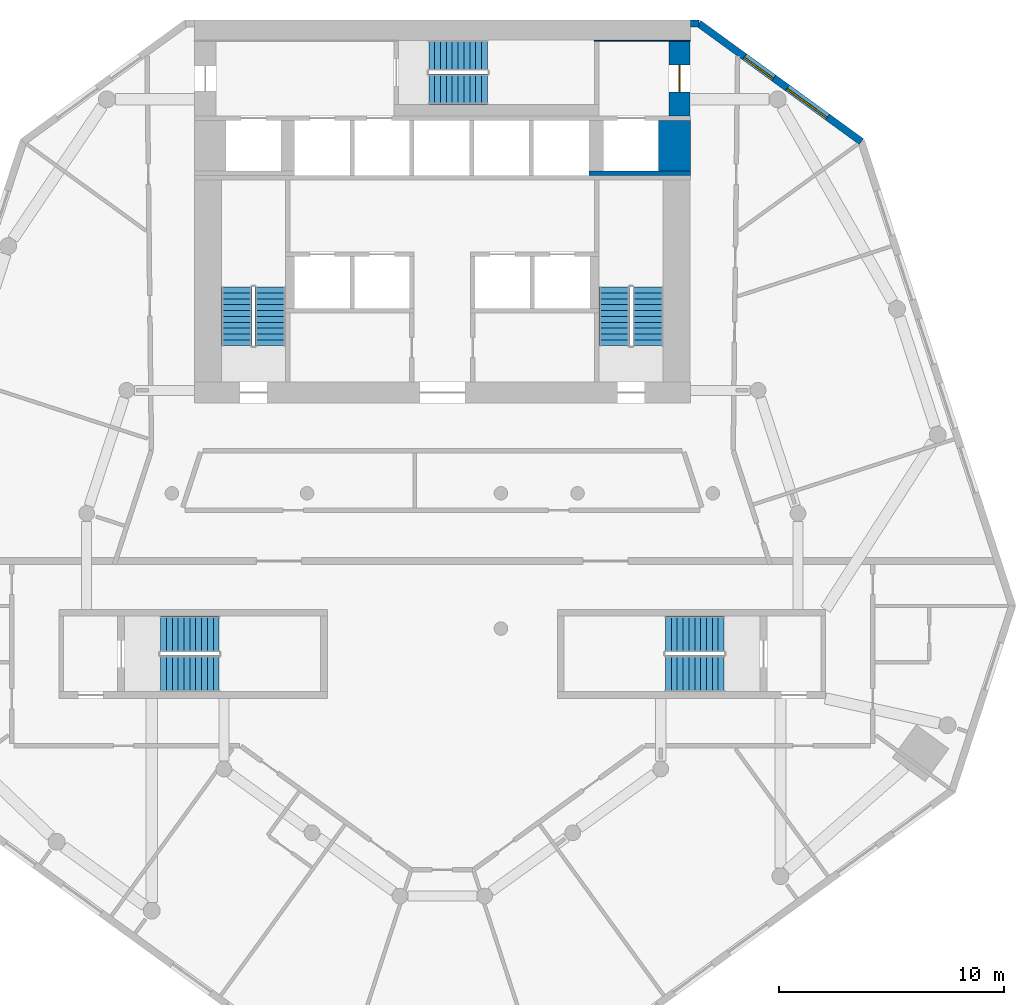
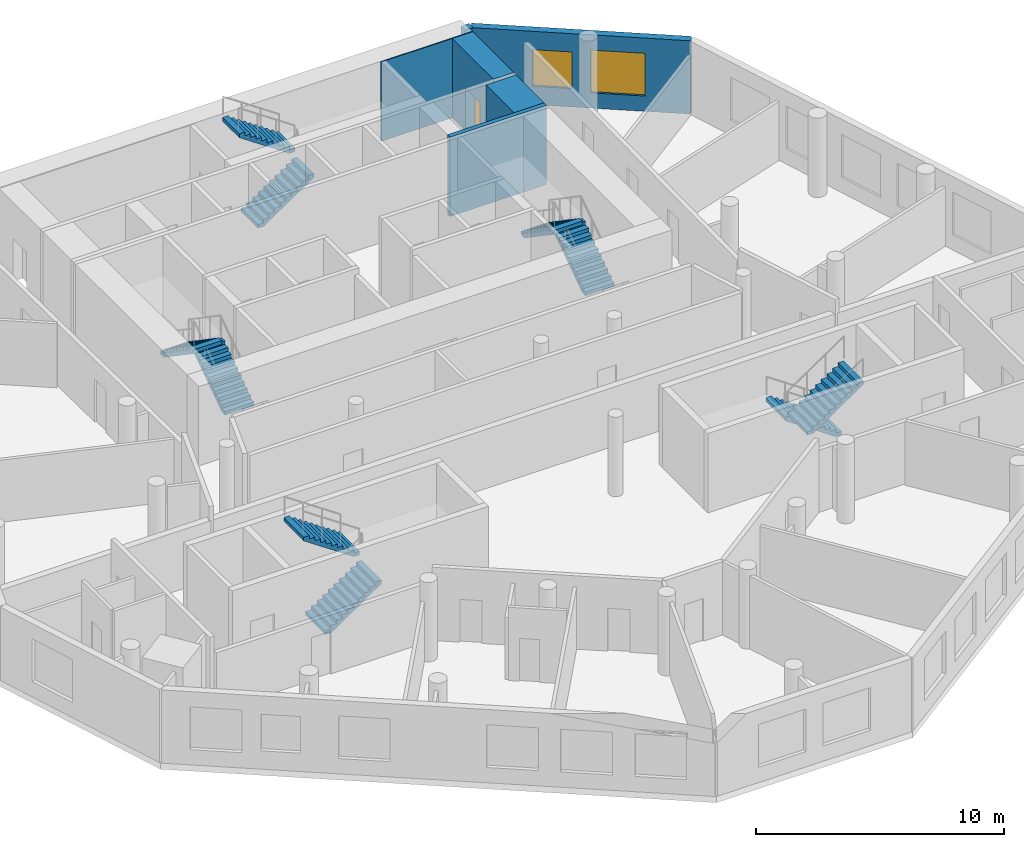
# One storey, part 6 of 8: 10 stair flights, 6 walls, 2 windows, 1 door, 3 openings, 5 elements without a shape of their own.
"""IFC4 building model written with IfcOpenShell, lengths in metres."""

from ifc_helpers import new_model, si_unit, direction, frame, frame_2d, origin, place, context, subcontext, project, spatial, polyline, rectangle, outline, extrude, material, layer, layer_set, type_object, element, fill, aggregate, save


model = new_model("IFC4")

# Units and contexts
model_context = context("Model", 3, precision=1e-05, world=origin(), true_north=direction((0.0, 1.0)))
body_context = subcontext(model_context, "Body", "Model", "MODEL_VIEW")
ifc_project = project(units=[si_unit("LENGTHUNIT", "METRE"), si_unit("AREAUNIT", "SQUARE_METRE"), si_unit("VOLUMEUNIT", "CUBIC_METRE"), si_unit("PLANEANGLEUNIT", "RADIAN"), si_unit("MASSUNIT", "GRAM", prefix="KILO")], contexts=[model_context])

# Site, building, storey
site_placement = place(None, origin())
site = spatial("IfcSite", under=ifc_project, at=site_placement, CompositionType="ELEMENT")
building_placement = place(site_placement, origin())
building = spatial("IfcBuilding", under=site, at=building_placement, Name="White Candle Pilgrim Tower", CompositionType="ELEMENT")
storey_placement = place(building_placement, frame((0.0, 0.0, 156.39990234375)))
storey = spatial("IfcBuildingStorey", under=building, at=storey_placement, Name="L35", CompositionType="ELEMENT", Elevation=156.39990234375)

# Walls
ifc_material_1 = material(Name="Concrete C60/75", Category="concrete")
ifc_layer_1 = layer(ifc_material_1, 1.39990234375)
ifc_layer_set_1 = layer_set([ifc_layer_1], Name="Core wall 1400 mm Concrete C60/75")
wall_type_1 = type_object("IfcWallType", Name="Core wall 1400 mm Concrete C60/75", PredefinedType="SHEAR", material=ifc_layer_set_1)
wall_1_placement = place(storey_placement, frame((80.300048828125, 81.300048828125, 0.0), z_axis=(0.0, 0.0, 1.0), x_axis=(0.0, 1.0, 0.0)))
element("IfcWall", 1, at=wall_1_placement, inside=storey, type_object=wall_type_1, Name="WL-L35-C40", PredefinedType="SHEAR", context=body_context, shape_type="SweptSolid", body=[
    extrude(rectangle(XDim=2.25, YDim=1.39990234375, at=frame_2d((1.125, 0.0))), origin(), (0.0, 0.0, 1.0), 3.900146484375),
])
ifc_layer_2 = layer(ifc_material_1, 0.199951171875)
ifc_layer_set_2 = layer_set([ifc_layer_2], Name="Core wall 200 mm Concrete C60/75")
wall_type_2 = type_object("IfcWallType", Name="Core wall 200 mm Concrete C60/75", PredefinedType="SHEAR", material=ifc_layer_set_2)
wall_2_placement = place(storey_placement, frame((76.5, 81.199951171875, 0.0), z_axis=(0.0, 0.0, 1.0), x_axis=(1.0, 0.0, 0.0)))
element("IfcWall", 2, at=wall_2_placement, inside=storey, type_object=wall_type_2, Name="WL-L35-C36", PredefinedType="SHEAR", context=body_context, shape_type="SweptSolid", body=[
    extrude(rectangle(XDim=4.5, YDim=0.199951171875, at=frame_2d((2.25, 0.0))), origin(), (0.0, 0.0, 1.0), 3.900146484375),
])

# Wall, opening, door
ifc_layer_3 = layer(ifc_material_1, 0.949951171875)
ifc_layer_set_3 = layer_set([ifc_layer_3], Name="Core wall 950 mm Concrete C60/75")
wall_type_3 = type_object("IfcWallType", Name="Core wall 950 mm Concrete C60/75", PredefinedType="SHEAR", material=ifc_layer_set_3)
wall_3_placement = place(storey_placement, frame((80.52490234375, 83.75, 0.0), z_axis=(0.0, 0.0, 1.0), x_axis=(0.0, 1.0, 0.0)))
wall_3 = element("IfcWall", 3, at=wall_3_placement, inside=storey, type_object=wall_type_3, Name="WL-L35-C44", PredefinedType="SHEAR", context=body_context, shape_type="SweptSolid", body=[
    extrude(rectangle(XDim=3.300048828125, YDim=0.949951171875, at=frame_2d((1.64990234375, 0.0))), origin(), (0.0, 0.0, 1.0), 3.900146484375),
])
opening_1_placement = place(wall_3_placement, frame((1.050048828125, 0.0, 0.0)))
opening_1 = element("IfcOpeningElement", 4, at=opening_1_placement, cuts=wall_3, Name="Opening T10-008", PredefinedType="OPENING", context=body_context, shape_type="SweptSolid", body=[
    extrude(rectangle(XDim=1.199951171875, YDim=2.10009765625, at=frame_2d((0.60009765625, 1.050048828125))), frame((0.0, 0.48486328125, 0.0), z_axis=(0.0, -1.0, 0.0), x_axis=(1.0, 0.0, 0.0)), (0.0, 0.0, 1.0), 0.969970703125),
])
ifc_material_2 = material(Name="Steel door leaf", Category="steel")
door_type = type_object("IfcDoorType", Name="Fire door 1200 x 2100 EI 30", OperationType="NOTDEFINED", PredefinedType="DOOR", material=ifc_material_2)
door_placement = place(opening_1_placement, origin())
door = element("IfcDoor", 5, at=door_placement, inside=storey, type_object=door_type, Name="Door T10-008", OperationType="SINGLE_SWING_RIGHT", OverallHeight=2.10009765625, OverallWidth=1.199951171875, PredefinedType="DOOR", context=body_context, shape_type="SweptSolid", body=[
    extrude(rectangle(XDim=1.199951171875, YDim=2.10009765625, at=frame_2d((0.60009765625, 1.050048828125))), frame((0.0, 0.02490234375, 0.0), z_axis=(0.0, -1.0, 0.0), x_axis=(1.0, 0.0, 0.0)), (0.0, 0.0, 1.0), 0.050048828125),
])
fill(opening_1, door)

# Wall, openings, windows
ifc_material_3 = material(Name="Precast concrete C40/50", Category="concrete")
ifc_layer_4 = layer(ifc_material_3, 0.320068359375)
ifc_layer_set_4 = layer_set([ifc_layer_4], Name="Facade wall EW1 precast concrete C40/50 pier wall with timber-lined reveals")
wall_type_4 = type_object("IfcWallType", Name="Facade wall EW1 precast concrete C40/50 pier wall with timber-lined reveals", PredefinedType="SOLIDWALL", material=ifc_layer_set_4)
wall_4_placement = place(storey_placement, frame((88.58935546875, 82.605712890625, 0.0), z_axis=(0.0, 0.0, 1.0), x_axis=(-0.809011042426, 0.58779344436, 0.0)))
wall_4 = element("IfcWall", 6, at=wall_4_placement, inside=storey, type_object=wall_type_4, Name="Facade wall L35 NE chamfer", PredefinedType="SOLIDWALL", context=body_context, shape_type="SweptSolid", body=[
    extrude(rectangle(XDim=8.905029296875, YDim=0.320068359375, at=frame_2d((4.45263671875, 0.0))), origin(), (0.0, 0.0, 1.0), 3.60009765625),
])
opening_2_placement = place(wall_4_placement, frame((1.8525390625, 0.0, 0.75)))
opening_2 = element("IfcOpeningElement", 7, at=opening_2_placement, cuts=wall_4, Name="Opening W4", PredefinedType="OPENING", context=body_context, shape_type="SweptSolid", body=[
    extrude(rectangle(XDim=2.199951171875, YDim=2.10009765625, at=frame_2d((1.10009765625, 1.050048828125))), frame((0.0, 0.169921875, 0.0), z_axis=(0.0, -1.0, 0.0), x_axis=(1.0, 0.0, 0.0)), (0.0, 0.0, 1.0), 0.340087890625),
])
opening_3_placement = place(wall_4_placement, frame((4.802490234375, 0.0, 0.89990234375)))
opening_3 = element("IfcOpeningElement", 8, at=opening_3_placement, cuts=wall_4, Name="Opening W2", PredefinedType="OPENING", context=body_context, shape_type="SweptSolid", body=[
    extrude(rectangle(XDim=1.60009765625, YDim=1.800048828125, at=frame_2d((0.800048828125, 0.89990234375))), frame((0.0, 0.169921875, 0.0), z_axis=(0.0, -1.0, 0.0), x_axis=(1.0, 0.0, 0.0)), (0.0, 0.0, 1.0), 0.340087890625),
])
ifc_material_4 = material(Name="Timber frame with triple glazing", Category="wood")
window_type_1 = type_object("IfcWindowType", Name="Window W2 1600x1800 timber frame triple glazing", PartitioningType="SINGLE_PANEL", PredefinedType="WINDOW", material=ifc_material_4)
window_1_placement = place(opening_3_placement, origin())
window_1 = element("IfcWindow", 9, at=window_1_placement, inside=storey, type_object=window_type_1, Name="Window W2 L35 NE chamfer 2", OverallHeight=1.800048828125, OverallWidth=1.60009765625, PartitioningType="SINGLE_PANEL", PredefinedType="WINDOW", context=body_context, shape_type="SweptSolid", body=[
    extrude(rectangle(XDim=1.60009765625, YDim=1.800048828125, at=frame_2d((0.800048828125, 0.89990234375))), frame((0.0, 0.070068359375, 0.0), z_axis=(0.0, -1.0, 0.0), x_axis=(1.0, 0.0, 0.0)), (0.0, 0.0, 1.0), 0.06005859375),
])
fill(opening_3, window_1)
window_type_2 = type_object("IfcWindowType", Name="Window W4 2200x2100 timber frame triple glazing", PartitioningType="SINGLE_PANEL", PredefinedType="WINDOW", material=ifc_material_4)
window_2_placement = place(opening_2_placement, origin())
window_2 = element("IfcWindow", 10, at=window_2_placement, inside=storey, type_object=window_type_2, Name="Window W4 L35 NE chamfer 1", OverallHeight=2.10009765625, OverallWidth=2.199951171875, PartitioningType="SINGLE_PANEL", PredefinedType="WINDOW", context=body_context, shape_type="SweptSolid", body=[
    extrude(rectangle(XDim=2.199951171875, YDim=2.10009765625, at=frame_2d((1.10009765625, 1.050048828125))), frame((0.0, 0.070068359375, 0.0), z_axis=(0.0, -1.0, 0.0), x_axis=(1.0, 0.0, 0.0)), (0.0, 0.0, 1.0), 0.06005859375),
])
fill(opening_2, window_2)

# Walls
wall_5_placement = place(storey_placement, frame((81.385009765625, 87.840087890625, 0.0), z_axis=(0.0, 0.0, 1.0), x_axis=(-1.0, 0.0, 0.0)))
element("IfcWall", 11, at=wall_5_placement, inside=storey, type_object=wall_type_4, Name="Facade wall L35 N", PredefinedType="SOLIDWALL", context=body_context, shape_type="SweptSolid", body=[
    extrude(rectangle(XDim=0.385009765625, YDim=0.320068359375, at=frame_2d((0.1923828125, 0.0))), origin(), (0.0, 0.0, 1.0), 3.60009765625),
])
ifc_layer_5 = layer(ifc_material_1, 0.050048828125)
ifc_layer_set_5 = layer_set([ifc_layer_5], Name="Stair shaft wall 50 mm Concrete C60/75")
wall_type_5 = type_object("IfcWallType", Name="Stair shaft wall 50 mm Concrete C60/75", PredefinedType="SHEAR", material=ifc_layer_set_5)
wall_6_placement = place(storey_placement, frame((76.75, 87.074951171875, 0.0), z_axis=(0.0, 0.0, 1.0), x_axis=(1.0, 0.0, 0.0)))
element("IfcWall", 12, at=wall_6_placement, inside=storey, type_object=wall_type_5, Name="WL-L35-C48", PredefinedType="SHEAR", context=body_context, shape_type="SweptSolid", body=[
    extrude(rectangle(XDim=4.25, YDim=0.050048828125, at=frame_2d((2.125, 0.0))), origin(), (0.0, 0.0, 1.0), 3.900146484375),
])

# Stair, stair flights
ifc_material_5 = material(Name="Concrete C40/50", Category="concrete")
stair_type_1 = type_object("IfcStairType", Name="Exit stair 1 flight width 1350 mm", PredefinedType="HALF_TURN_STAIR", material=ifc_material_5)
stair_1_placement = place(storey_placement, origin())
stair_1 = element("IfcStair", 13, at=stair_1_placement, inside=storey, type_object=stair_type_1, Name="L35 stair 1", PredefinedType="NOTDEFINED")
ifc_layer_6 = layer(ifc_material_5, 0.14990234375)
ifc_layer_set_6 = layer_set([ifc_layer_6], Name="Stair flight Concrete C40/50")
stair_flight_type = type_object("IfcStairFlightType", Name="Stair flight Concrete C40/50", PredefinedType="STRAIGHT", material=ifc_layer_set_6)
stair_flight_1_placement = place(storey_placement, frame((62.375, 73.550048828125, 0.0), z_axis=(0.0, 0.0, 1.0), x_axis=(0.0, 1.0, 0.0)))
stair_flight_1 = element("IfcStairFlight", 14, at=stair_flight_1_placement, type_object=stair_flight_type, Name="ST1 flight 1", NumberOfRisers=11, NumberOfTreads=10, PredefinedType="NOTDEFINED", RiserHeight=0.177272727, TreadLength=0.26, context=body_context, shape_type="SweptSolid", body=[
    extrude(outline(polyline([(0.0, 0.0), (0.0, 0.17724609375), (0.260009765625, 0.17724609375), (0.260009765625, 0.3544921875), (0.52001953125, 0.3544921875), (0.52001953125, 0.53173828125), (0.780029296875, 0.53173828125), (0.780029296875, 0.708984375), (1.0400390625, 0.708984375), (1.0400390625, 0.886474609375), (1.300048828125, 0.886474609375), (1.300048828125, 1.063720703125), (1.56005859375, 1.063720703125), (1.56005859375, 1.240966796875), (1.820068359375, 1.240966796875), (1.820068359375, 1.418212890625), (2.080078125, 1.418212890625), (2.080078125, 1.595458984375), (2.340087890625, 1.595458984375), (2.340087890625, 1.772705078125), (2.60009765625, 1.772705078125), (2.60009765625, 1.949951171875), (2.60009765625, 1.59130859375), (0.26611328125, 0.0), (0.0, 0.0)])), frame((0.0, 0.675048828125, 0.0), z_axis=(0.0, -1.0, 0.0), x_axis=(1.0, 0.0, 0.0)), (0.0, 0.0, 1.0), 1.35009765625),
])
stair_flight_2_placement = place(storey_placement, frame((60.875, 76.14990234375, 1.9501953125), z_axis=(0.0, 0.0, 1.0), x_axis=(0.0, -1.0, 0.0)))
stair_flight_2 = element("IfcStairFlight", 15, at=stair_flight_2_placement, type_object=stair_flight_type, Name="ST1 flight 2", NumberOfRisers=11, NumberOfTreads=10, PredefinedType="NOTDEFINED", RiserHeight=0.177272727, TreadLength=0.26, context=body_context, shape_type="SweptSolid", body=[
    extrude(outline(polyline([(0.0, 0.0), (0.0, 0.17724609375), (0.260009765625, 0.17724609375), (0.260009765625, 0.3544921875), (0.52001953125, 0.3544921875), (0.52001953125, 0.53173828125), (0.780029296875, 0.53173828125), (0.780029296875, 0.708984375), (1.0400390625, 0.708984375), (1.0400390625, 0.886474609375), (1.300048828125, 0.886474609375), (1.300048828125, 1.063720703125), (1.56005859375, 1.063720703125), (1.56005859375, 1.240966796875), (1.820068359375, 1.240966796875), (1.820068359375, 1.418212890625), (2.080078125, 1.418212890625), (2.080078125, 1.595458984375), (2.340087890625, 1.595458984375), (2.340087890625, 1.772705078125), (2.60009765625, 1.772705078125), (2.60009765625, 1.949951171875), (2.60009765625, 1.59130859375), (0.26611328125, 0.0), (0.0, 0.0)])), frame((0.0, 0.675048828125, 0.0), z_axis=(0.0, -1.0, 0.0), x_axis=(1.0, 0.0, 0.0)), (0.0, 0.0, 1.0), 1.35009765625),
])
aggregate(stair_1, [stair_flight_1, stair_flight_2])

stair_type_2 = type_object("IfcStairType", Name="Exit stair 2 flight width 1350 mm", PredefinedType="HALF_TURN_STAIR", material=ifc_material_5)
stair_2_placement = place(storey_placement, origin())
stair_2 = element("IfcStair", 16, at=stair_2_placement, inside=storey, type_object=stair_type_2, Name="L35 stair 2", PredefinedType="NOTDEFINED")
stair_flight_3_placement = place(storey_placement, frame((79.125, 73.550048828125, 0.0), z_axis=(0.0, 0.0, 1.0), x_axis=(0.0, 1.0, 0.0)))
stair_flight_3 = element("IfcStairFlight", 17, at=stair_flight_3_placement, type_object=stair_flight_type, Name="ST2 flight 1", NumberOfRisers=11, NumberOfTreads=10, PredefinedType="NOTDEFINED", RiserHeight=0.177272727, TreadLength=0.26, context=body_context, shape_type="SweptSolid", body=[
    extrude(outline(polyline([(0.0, 0.0), (0.0, 0.17724609375), (0.260009765625, 0.17724609375), (0.260009765625, 0.3544921875), (0.52001953125, 0.3544921875), (0.52001953125, 0.53173828125), (0.780029296875, 0.53173828125), (0.780029296875, 0.708984375), (1.0400390625, 0.708984375), (1.0400390625, 0.886474609375), (1.300048828125, 0.886474609375), (1.300048828125, 1.063720703125), (1.56005859375, 1.063720703125), (1.56005859375, 1.240966796875), (1.820068359375, 1.240966796875), (1.820068359375, 1.418212890625), (2.080078125, 1.418212890625), (2.080078125, 1.595458984375), (2.340087890625, 1.595458984375), (2.340087890625, 1.772705078125), (2.60009765625, 1.772705078125), (2.60009765625, 1.949951171875), (2.60009765625, 1.59130859375), (0.26611328125, 0.0), (0.0, 0.0)])), frame((0.0, 0.675048828125, 0.0), z_axis=(0.0, -1.0, 0.0), x_axis=(1.0, 0.0, 0.0)), (0.0, 0.0, 1.0), 1.35009765625),
])
stair_flight_4_placement = place(storey_placement, frame((77.625, 76.14990234375, 1.9501953125), z_axis=(0.0, 0.0, 1.0), x_axis=(0.0, -1.0, 0.0)))
stair_flight_4 = element("IfcStairFlight", 18, at=stair_flight_4_placement, type_object=stair_flight_type, Name="ST2 flight 2", NumberOfRisers=11, NumberOfTreads=10, PredefinedType="NOTDEFINED", RiserHeight=0.177272727, TreadLength=0.26, context=body_context, shape_type="SweptSolid", body=[
    extrude(outline(polyline([(0.0, 0.0), (0.0, 0.17724609375), (0.260009765625, 0.17724609375), (0.260009765625, 0.3544921875), (0.52001953125, 0.3544921875), (0.52001953125, 0.53173828125), (0.780029296875, 0.53173828125), (0.780029296875, 0.708984375), (1.0400390625, 0.708984375), (1.0400390625, 0.886474609375), (1.300048828125, 0.886474609375), (1.300048828125, 1.063720703125), (1.56005859375, 1.063720703125), (1.56005859375, 1.240966796875), (1.820068359375, 1.240966796875), (1.820068359375, 1.418212890625), (2.080078125, 1.418212890625), (2.080078125, 1.595458984375), (2.340087890625, 1.595458984375), (2.340087890625, 1.772705078125), (2.60009765625, 1.772705078125), (2.60009765625, 1.949951171875), (2.60009765625, 1.59130859375), (0.26611328125, 0.0), (0.0, 0.0)])), frame((0.0, 0.675048828125, 0.0), z_axis=(0.0, -1.0, 0.0), x_axis=(1.0, 0.0, 0.0)), (0.0, 0.0, 1.0), 1.35009765625),
])
aggregate(stair_2, [stair_flight_3, stair_flight_4])

stair_type_3 = type_object("IfcStairType", Name="Exit stair 3 flight width 1350 mm", PredefinedType="HALF_TURN_STAIR", material=ifc_material_5)
stair_3_placement = place(storey_placement, origin())
stair_3 = element("IfcStair", 19, at=stair_3_placement, inside=storey, type_object=stair_type_3, Name="L35 stair 3", PredefinedType="NOTDEFINED")
stair_flight_5_placement = place(storey_placement, frame((69.39990234375, 84.925048828125, 0.0), z_axis=(0.0, 0.0, 1.0), x_axis=(1.0, 0.0, 0.0)))
stair_flight_5 = element("IfcStairFlight", 20, at=stair_flight_5_placement, type_object=stair_flight_type, Name="ST3 flight 1", NumberOfRisers=11, NumberOfTreads=10, PredefinedType="NOTDEFINED", RiserHeight=0.177272727, TreadLength=0.26, context=body_context, shape_type="SweptSolid", body=[
    extrude(outline(polyline([(0.0, 0.0), (0.0, 0.17724609375), (0.260009765625, 0.17724609375), (0.260009765625, 0.3544921875), (0.52001953125, 0.3544921875), (0.52001953125, 0.53173828125), (0.780029296875, 0.53173828125), (0.780029296875, 0.708984375), (1.0400390625, 0.708984375), (1.0400390625, 0.886474609375), (1.300048828125, 0.886474609375), (1.300048828125, 1.063720703125), (1.56005859375, 1.063720703125), (1.56005859375, 1.240966796875), (1.820068359375, 1.240966796875), (1.820068359375, 1.418212890625), (2.080078125, 1.418212890625), (2.080078125, 1.595458984375), (2.340087890625, 1.595458984375), (2.340087890625, 1.772705078125), (2.60009765625, 1.772705078125), (2.60009765625, 1.949951171875), (2.60009765625, 1.59130859375), (0.26611328125, 0.0), (0.0, 0.0)])), frame((0.0, 0.675048828125, 0.0), z_axis=(0.0, -1.0, 0.0), x_axis=(1.0, 0.0, 0.0)), (0.0, 0.0, 1.0), 1.35009765625),
])
stair_flight_6_placement = place(storey_placement, frame((72.0, 86.425048828125, 1.9501953125), z_axis=(0.0, 0.0, 1.0), x_axis=(-1.0, 0.0, 0.0)))
stair_flight_6 = element("IfcStairFlight", 21, at=stair_flight_6_placement, type_object=stair_flight_type, Name="ST3 flight 2", NumberOfRisers=11, NumberOfTreads=10, PredefinedType="NOTDEFINED", RiserHeight=0.177272727, TreadLength=0.26, context=body_context, shape_type="SweptSolid", body=[
    extrude(outline(polyline([(0.0, 0.0), (0.0, 0.17724609375), (0.260009765625, 0.17724609375), (0.260009765625, 0.3544921875), (0.52001953125, 0.3544921875), (0.52001953125, 0.53173828125), (0.780029296875, 0.53173828125), (0.780029296875, 0.708984375), (1.0400390625, 0.708984375), (1.0400390625, 0.886474609375), (1.300048828125, 0.886474609375), (1.300048828125, 1.063720703125), (1.56005859375, 1.063720703125), (1.56005859375, 1.240966796875), (1.820068359375, 1.240966796875), (1.820068359375, 1.418212890625), (2.080078125, 1.418212890625), (2.080078125, 1.595458984375), (2.340087890625, 1.595458984375), (2.340087890625, 1.772705078125), (2.60009765625, 1.772705078125), (2.60009765625, 1.949951171875), (2.60009765625, 1.59130859375), (0.26611328125, 0.0), (0.0, 0.0)])), frame((0.0, 0.675048828125, 0.0), z_axis=(0.0, -1.0, 0.0), x_axis=(1.0, 0.0, 0.0)), (0.0, 0.0, 1.0), 1.35009765625),
])
aggregate(stair_3, [stair_flight_5, stair_flight_6])

stair_type_4 = type_object("IfcStairType", Name="Exit stair 4 flight width 1600 mm", PredefinedType="HALF_TURN_STAIR", material=ifc_material_5)
stair_4_placement = place(storey_placement, origin())
stair_4 = element("IfcStair", 22, at=stair_4_placement, inside=storey, type_object=stair_type_4, Name="L35 stair 4", PredefinedType="NOTDEFINED")
stair_flight_7_placement = place(storey_placement, frame((82.5, 60.75, 0.0), z_axis=(0.0, 0.0, 1.0), x_axis=(-1.0, 0.0, 0.0)))
stair_flight_7 = element("IfcStairFlight", 23, at=stair_flight_7_placement, type_object=stair_flight_type, Name="ST4 flight 1", NumberOfRisers=11, NumberOfTreads=10, PredefinedType="NOTDEFINED", RiserHeight=0.177272727, TreadLength=0.26, context=body_context, shape_type="SweptSolid", body=[
    extrude(outline(polyline([(0.0, 0.0), (0.0, 0.17724609375), (0.260009765625, 0.17724609375), (0.260009765625, 0.3544921875), (0.52001953125, 0.3544921875), (0.52001953125, 0.53173828125), (0.780029296875, 0.53173828125), (0.780029296875, 0.708984375), (1.0400390625, 0.708984375), (1.0400390625, 0.886474609375), (1.300048828125, 0.886474609375), (1.300048828125, 1.063720703125), (1.56005859375, 1.063720703125), (1.56005859375, 1.240966796875), (1.820068359375, 1.240966796875), (1.820068359375, 1.418212890625), (2.080078125, 1.418212890625), (2.080078125, 1.595458984375), (2.340087890625, 1.595458984375), (2.340087890625, 1.772705078125), (2.60009765625, 1.772705078125), (2.60009765625, 1.949951171875), (2.60009765625, 1.59130859375), (0.26611328125, 0.0), (0.0, 0.0)])), frame((0.0, 0.800048828125, 0.0), z_axis=(0.0, -1.0, 0.0), x_axis=(1.0, 0.0, 0.0)), (0.0, 0.0, 1.0), 1.60009765625),
])
stair_flight_8_placement = place(storey_placement, frame((79.89990234375, 59.0, 1.9501953125), z_axis=(0.0, 0.0, 1.0), x_axis=(1.0, 0.0, 0.0)))
stair_flight_8 = element("IfcStairFlight", 24, at=stair_flight_8_placement, type_object=stair_flight_type, Name="ST4 flight 2", NumberOfRisers=11, NumberOfTreads=10, PredefinedType="NOTDEFINED", RiserHeight=0.177272727, TreadLength=0.26, context=body_context, shape_type="SweptSolid", body=[
    extrude(outline(polyline([(0.0, 0.0), (0.0, 0.17724609375), (0.260009765625, 0.17724609375), (0.260009765625, 0.3544921875), (0.52001953125, 0.3544921875), (0.52001953125, 0.53173828125), (0.780029296875, 0.53173828125), (0.780029296875, 0.708984375), (1.0400390625, 0.708984375), (1.0400390625, 0.886474609375), (1.300048828125, 0.886474609375), (1.300048828125, 1.063720703125), (1.56005859375, 1.063720703125), (1.56005859375, 1.240966796875), (1.820068359375, 1.240966796875), (1.820068359375, 1.418212890625), (2.080078125, 1.418212890625), (2.080078125, 1.595458984375), (2.340087890625, 1.595458984375), (2.340087890625, 1.772705078125), (2.60009765625, 1.772705078125), (2.60009765625, 1.949951171875), (2.60009765625, 1.59130859375), (0.26611328125, 0.0), (0.0, 0.0)])), frame((0.0, 0.800048828125, 0.0), z_axis=(0.0, -1.0, 0.0), x_axis=(1.0, 0.0, 0.0)), (0.0, 0.0, 1.0), 1.60009765625),
])
aggregate(stair_4, [stair_flight_7, stair_flight_8])

stair_type_5 = type_object("IfcStairType", Name="Exit stair 5 flight width 1600 mm", PredefinedType="HALF_TURN_STAIR", material=ifc_material_5)
stair_5_placement = place(storey_placement, origin())
stair_5 = element("IfcStair", 25, at=stair_5_placement, inside=storey, type_object=stair_type_5, Name="L35 stair 5", PredefinedType="NOTDEFINED")
stair_flight_9_placement = place(storey_placement, frame((57.5, 59.0, 0.0), z_axis=(0.0, 0.0, 1.0), x_axis=(1.0, 0.0, 0.0)))
stair_flight_9 = element("IfcStairFlight", 26, at=stair_flight_9_placement, type_object=stair_flight_type, Name="ST5 flight 1", NumberOfRisers=11, NumberOfTreads=10, PredefinedType="NOTDEFINED", RiserHeight=0.177272727, TreadLength=0.26, context=body_context, shape_type="SweptSolid", body=[
    extrude(outline(polyline([(0.0, 0.0), (0.0, 0.17724609375), (0.260009765625, 0.17724609375), (0.260009765625, 0.3544921875), (0.52001953125, 0.3544921875), (0.52001953125, 0.53173828125), (0.780029296875, 0.53173828125), (0.780029296875, 0.708984375), (1.0400390625, 0.708984375), (1.0400390625, 0.886474609375), (1.300048828125, 0.886474609375), (1.300048828125, 1.063720703125), (1.56005859375, 1.063720703125), (1.56005859375, 1.240966796875), (1.820068359375, 1.240966796875), (1.820068359375, 1.418212890625), (2.080078125, 1.418212890625), (2.080078125, 1.595458984375), (2.340087890625, 1.595458984375), (2.340087890625, 1.772705078125), (2.60009765625, 1.772705078125), (2.60009765625, 1.949951171875), (2.60009765625, 1.59130859375), (0.26611328125, 0.0), (0.0, 0.0)])), frame((0.0, 0.800048828125, 0.0), z_axis=(0.0, -1.0, 0.0), x_axis=(1.0, 0.0, 0.0)), (0.0, 0.0, 1.0), 1.60009765625),
])
stair_flight_10_placement = place(storey_placement, frame((60.10009765625, 60.75, 1.9501953125), z_axis=(0.0, 0.0, 1.0), x_axis=(-1.0, 0.0, 0.0)))
stair_flight_10 = element("IfcStairFlight", 27, at=stair_flight_10_placement, type_object=stair_flight_type, Name="ST5 flight 2", NumberOfRisers=11, NumberOfTreads=10, PredefinedType="NOTDEFINED", RiserHeight=0.177272727, TreadLength=0.26, context=body_context, shape_type="SweptSolid", body=[
    extrude(outline(polyline([(0.0, 0.0), (0.0, 0.17724609375), (0.260009765625, 0.17724609375), (0.260009765625, 0.3544921875), (0.52001953125, 0.3544921875), (0.52001953125, 0.53173828125), (0.780029296875, 0.53173828125), (0.780029296875, 0.708984375), (1.0400390625, 0.708984375), (1.0400390625, 0.886474609375), (1.300048828125, 0.886474609375), (1.300048828125, 1.063720703125), (1.56005859375, 1.063720703125), (1.56005859375, 1.240966796875), (1.820068359375, 1.240966796875), (1.820068359375, 1.418212890625), (2.080078125, 1.418212890625), (2.080078125, 1.595458984375), (2.340087890625, 1.595458984375), (2.340087890625, 1.772705078125), (2.60009765625, 1.772705078125), (2.60009765625, 1.949951171875), (2.60009765625, 1.59130859375), (0.26611328125, 0.0), (0.0, 0.0)])), frame((0.0, 0.800048828125, 0.0), z_axis=(0.0, -1.0, 0.0), x_axis=(1.0, 0.0, 0.0)), (0.0, 0.0, 1.0), 1.60009765625),
])
aggregate(stair_5, [stair_flight_9, stair_flight_10])

save(model, "model.ifc")
